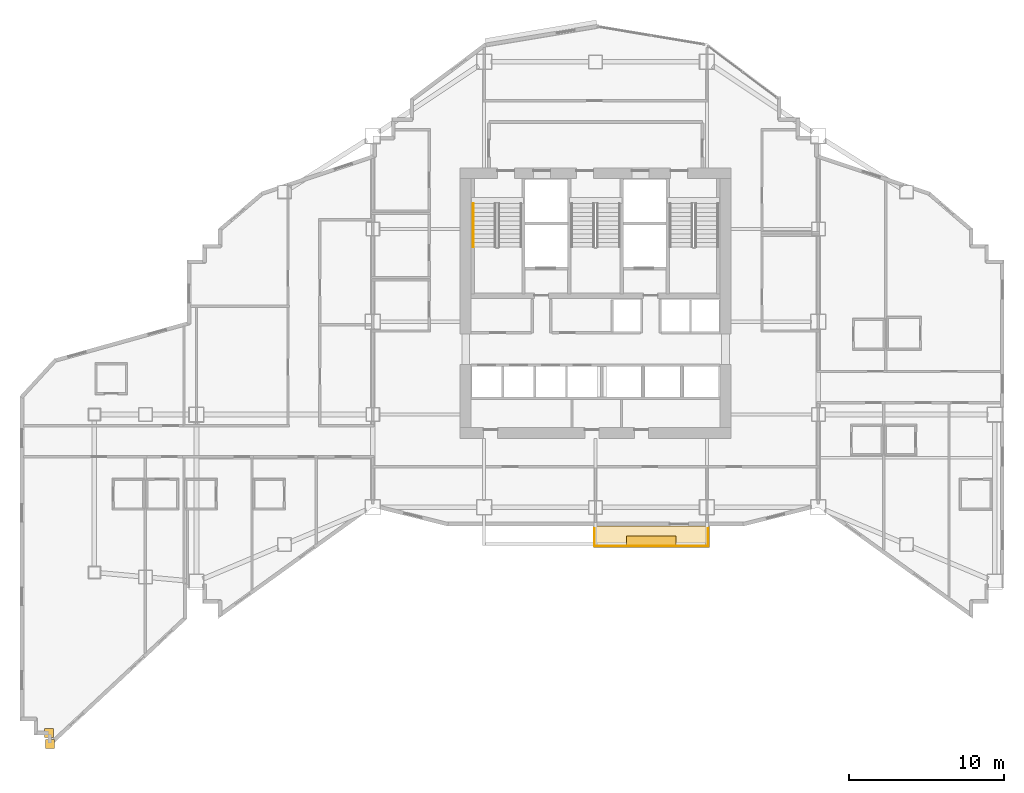
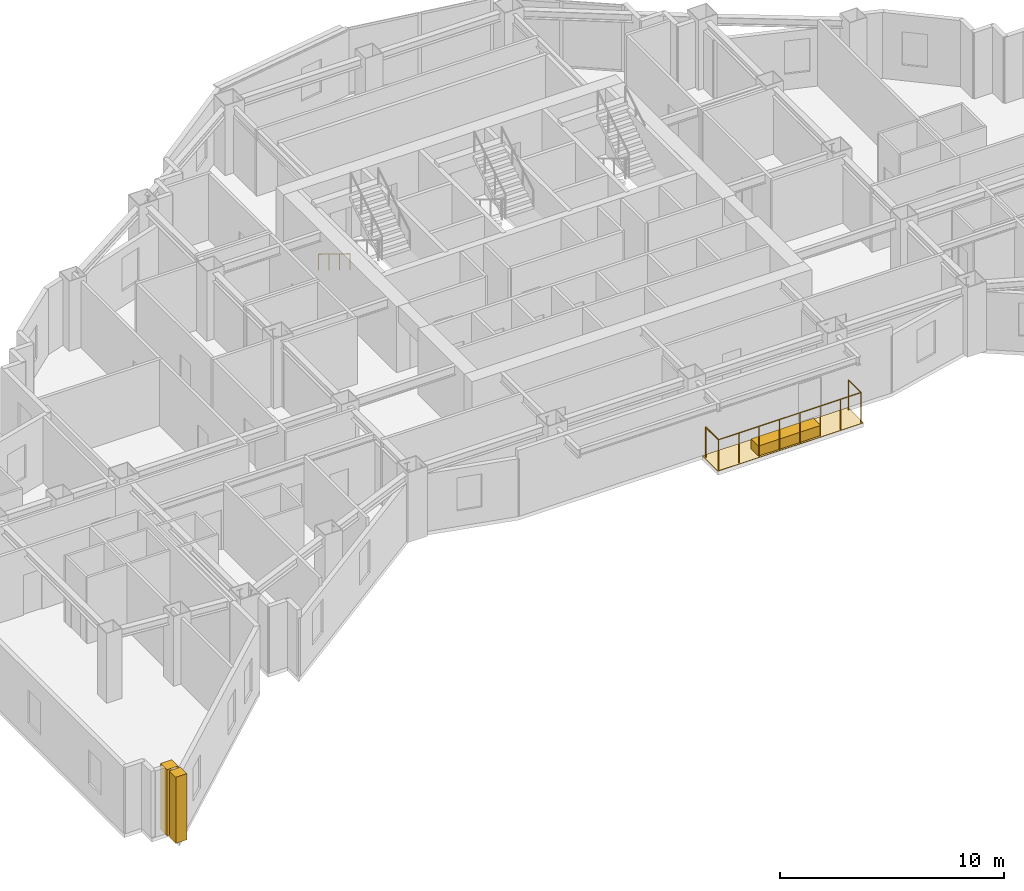
# One storey, part 13 of 14: 4 coverings, 3 railings.
"""IFC4 building model written with IfcOpenShell, lengths in metres."""

from ifc_helpers import new_model, si_unit, direction, frame, origin, origin_2d, place, context, subcontext, project, spatial, polyline, rectangle, circle, outline, extrude, material, layer, layer_set, type_object, element, save


model = new_model("IFC4")

# Units and contexts
model_context = context("Model", 3, precision=1e-05, world=origin(), true_north=direction((0.0, 1.0)))
body_context = subcontext(model_context, "Body", "Model", "MODEL_VIEW")
ifc_project = project(units=[si_unit("LENGTHUNIT", "METRE"), si_unit("AREAUNIT", "SQUARE_METRE"), si_unit("VOLUMEUNIT", "CUBIC_METRE"), si_unit("PLANEANGLEUNIT", "RADIAN"), si_unit("MASSUNIT", "GRAM", prefix="KILO")], contexts=[model_context])

# Site, building, storey
site_placement = place(None, origin())
site = spatial("IfcSite", under=ifc_project, at=site_placement, CompositionType="ELEMENT")
building_placement = place(site_placement, origin())
building = spatial("IfcBuilding", under=site, at=building_placement, Name="Haolan Belvedere Tower", CompositionType="ELEMENT")
storey_placement = place(building_placement, frame((0.0, 0.0, 141.0)))
storey = spatial("IfcBuildingStorey", under=building, at=storey_placement, Name="L35", CompositionType="ELEMENT", Elevation=141.0)

# Coverings
ifc_material_1 = material(Name="Pale champagne-silver anodised aluminium rainscreen cladding", Category="aluminium")
ifc_layer_1 = layer(ifc_material_1, 0.034912109375, Name="Pale champagne-silver anodised aluminium rainscreen cladding")
ifc_layer_set_1 = layer_set([ifc_layer_1], Name="Pale champagne-silver anodised aluminium rainscreen cladding")
covering_type_1 = type_object("IfcCoveringType", Name="COV-CLAD-35", PredefinedType="CLADDING", material=ifc_layer_set_1)
for number, where, z_axis, x_axis, name in (
    (1, (3.077392578125, 7.02001953125, 0.0), (0.0, 0.0, 1.0), (1.0, 0.0, 0.0), "L35 pale-metal serrated corner cladding trim 1"),
    (2, (3.1201171875, 6.318603515625, 0.0), (0.0, 0.0, 1.0), (1.0, 0.0, 0.0), "L35 pale-metal serrated corner cladding trim 2"),
):
    element("IfcCovering", number, at=place(storey_placement, frame(where, z_axis=z_axis, x_axis=x_axis)), inside=storey, type_object=covering_type_1, Name=name, PredefinedType="CLADDING", context=body_context, shape_type="SweptSolid", body=[
        extrude(rectangle(XDim=0.580078125, YDim=0.580078125, at=origin_2d()), origin(), (0.0, 0.0, 1.0), 3.60009765625),
    ])
ifc_material_2 = material(Name="Engineered lightweight planted garden soil substrate", Category="masonry")
ifc_layer_2 = layer(ifc_material_2, 0.550048828125, Name="Engineered lightweight planted garden soil substrate")
ifc_layer_set_2 = layer_set([ifc_layer_2], Name="Engineered lightweight planted garden soil substrate")
covering_type_2 = type_object("IfcCoveringType", Name="COV-PLANT-550", PredefinedType="MEMBRANE", material=ifc_layer_set_2)
covering_1_placement = place(storey_placement, frame((42.0, 19.43994140625, 0.0), z_axis=(0.0, 0.0, 1.0), x_axis=(1.0, 0.0, 0.0)))
element("IfcCovering", 3, at=covering_1_placement, inside=storey, type_object=covering_type_2, Name="L35 structural tree balcony PLANTER box 1", PredefinedType="MEMBRANE", context=body_context, shape_type="SweptSolid", body=[
    extrude(rectangle(XDim=3.199951171875, YDim=0.64990234375, at=origin_2d()), origin(), (0.0, 0.0, 1.0), 0.550048828125),
])
ifc_material_3 = material(Name="Elastomeric waterproof roofing membrane and stone pavers", Category="masonry")
ifc_layer_3 = layer(ifc_material_3, 0.02001953125, Name="Elastomeric waterproof roofing membrane and stone pavers")
ifc_layer_set_3 = layer_set([ifc_layer_3], Name="Elastomeric waterproof roofing membrane and stone pavers")
covering_type_3 = type_object("IfcCoveringType", Name="COV-ROOF-20", PredefinedType="ROOFING", material=ifc_layer_set_3)
covering_2_placement = place(storey_placement, frame((0.0, 0.0, -0.02001953125)))
element("IfcCovering", 4, at=covering_2_placement, inside=storey, type_object=covering_type_3, Name="L35 tree-balcony waterproof membrane 1", PredefinedType="ROOFING", context=body_context, shape_type="SweptSolid", body=[
    extrude(outline(polyline([(38.25, 19.02001953125), (45.75, 19.02001953125), (45.75, 20.39990234375), (38.25, 20.39990234375), (38.25, 19.02001953125)])), origin(), (0.0, 0.0, 1.0), 0.02001953125),
])

# Railings
ifc_material_4 = material(Name="Brushed stainless steel 304", Category="steel")
railing_type_1 = type_object("IfcRailingType", Name="RL-STAIR-HND-900", PredefinedType="HANDRAIL", material=ifc_material_4)
railing_1_placement = place(storey_placement, frame((30.5, 41.22998046875, 0.172607421875)))
element("IfcRailing", 5, at=railing_1_placement, inside=storey, type_object=railing_type_1, Name="L35 ST1 stair handrail 1", PredefinedType="HANDRAIL", context=body_context, shape_type="SweptSolid", body=[
    extrude(circle(Radius=0.02392578125, at=origin_2d()), frame((0.0, 0.0, 0.8759765625), z_axis=(0.0, -0.851089632645, 0.525020415988), x_axis=(1.0, 0.0, 0.0)), (0.0, 0.0, 1.0), 3.2900390625),
    extrude(circle(Radius=0.02099609375, at=origin_2d()), origin(), (0.0, 0.0, 1.0), 0.851806640625),
    extrude(circle(Radius=0.02099609375, at=origin_2d()), frame((0.0, -0.933349609375, 0.57568359375)), (0.0, 0.0, 1.0), 0.851806640625),
    extrude(circle(Radius=0.02099609375, at=origin_2d()), frame((0.0, -1.86669921875, 1.151611328125)), (0.0, 0.0, 1.0), 0.851806640625),
    extrude(circle(Radius=0.02099609375, at=origin_2d()), frame((0.0, -2.800048828125, 1.727294921875)), (0.0, 0.0, 1.0), 0.851806640625),
])
ifc_material_5 = material(Name="Anodised aluminium and laminated glass balustrade", Category="aluminium")
railing_type_2 = type_object("IfcRailingType", Name="RL-TER-BAL-1150", PredefinedType="BALUSTRADE", material=ifc_material_5)
railing_2_placement = place(storey_placement, frame((38.330078125, 19.10009765625, 0.0)))
element("IfcRailing", 6, at=railing_2_placement, inside=storey, type_object=railing_type_2, Name="L35 outdoor perimeter balustrade BAL-L35-1-1", PredefinedType="BALUSTRADE", context=body_context, shape_type="SweptSolid", body=[
    extrude(circle(Radius=0.02392578125, at=origin_2d()), frame((0.0, 0.0, 1.6259765625), z_axis=(0.0, 1.0, 0.0), x_axis=(-1.0, 0.0, 0.0)), (0.0, 0.0, 1.0), 1.119873046875),
    extrude(circle(Radius=0.02099609375, at=origin_2d()), origin(), (0.0, 0.0, 1.0), 1.601806640625),
    extrude(circle(Radius=0.02099609375, at=origin_2d()), frame((0.0, 1.119873046875, 0.0)), (0.0, 0.0, 1.0), 1.601806640625),
])
railing_3_placement = place(storey_placement, frame((45.669921875, 20.219970703125, 0.0)))
element("IfcRailing", 7, at=railing_3_placement, inside=storey, type_object=railing_type_2, Name="L35 outdoor perimeter balustrade BAL-L35-1-2", PredefinedType="BALUSTRADE", context=body_context, shape_type="SweptSolid", body=[
    extrude(circle(Radius=0.02392578125, at=origin_2d()), frame((0.0, 0.0, 1.6259765625), z_axis=(0.0, -1.0, 0.0), x_axis=(1.0, 0.0, 0.0)), (0.0, 0.0, 1.0), 1.119873046875),
    extrude(circle(Radius=0.02392578125, at=origin_2d()), frame((0.0, -1.119873046875, 1.6259765625), z_axis=(-1.0, 0.0, 0.0), x_axis=(0.0, -1.0, 0.0)), (0.0, 0.0, 1.0), 7.33984375),
    extrude(circle(Radius=0.02099609375, at=origin_2d()), origin(), (0.0, 0.0, 1.0), 1.601806640625),
    extrude(circle(Radius=0.02099609375, at=origin_2d()), frame((0.0, -1.119873046875, 0.0)), (0.0, 0.0, 1.0), 1.601806640625),
    extrude(circle(Radius=0.02099609375, at=origin_2d()), frame((-1.048583984375, -1.119873046875, 0.0)), (0.0, 0.0, 1.0), 1.601806640625),
    extrude(circle(Radius=0.02099609375, at=origin_2d()), frame((-2.09716796875, -1.119873046875, 0.0)), (0.0, 0.0, 1.0), 1.601806640625),
    extrude(circle(Radius=0.02099609375, at=origin_2d()), frame((-3.145751953125, -1.119873046875, 0.0)), (0.0, 0.0, 1.0), 1.601806640625),
    extrude(circle(Radius=0.02099609375, at=origin_2d()), frame((-4.194091796875, -1.119873046875, 0.0)), (0.0, 0.0, 1.0), 1.601806640625),
    extrude(circle(Radius=0.02099609375, at=origin_2d()), frame((-5.24267578125, -1.119873046875, 0.0)), (0.0, 0.0, 1.0), 1.601806640625),
    extrude(circle(Radius=0.02099609375, at=origin_2d()), frame((-6.291259765625, -1.119873046875, 0.0)), (0.0, 0.0, 1.0), 1.601806640625),
    extrude(circle(Radius=0.02099609375, at=origin_2d()), frame((-7.33984375, -1.119873046875, 0.0)), (0.0, 0.0, 1.0), 1.601806640625),
])

save(model, "model.ifc")
